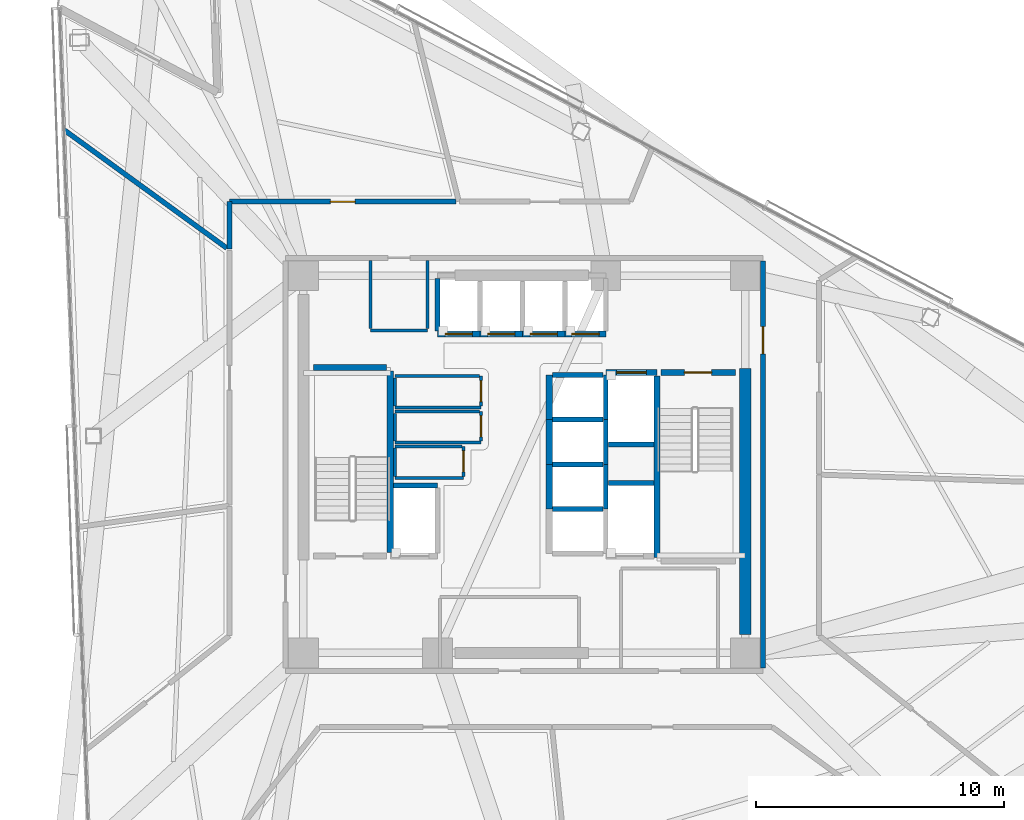
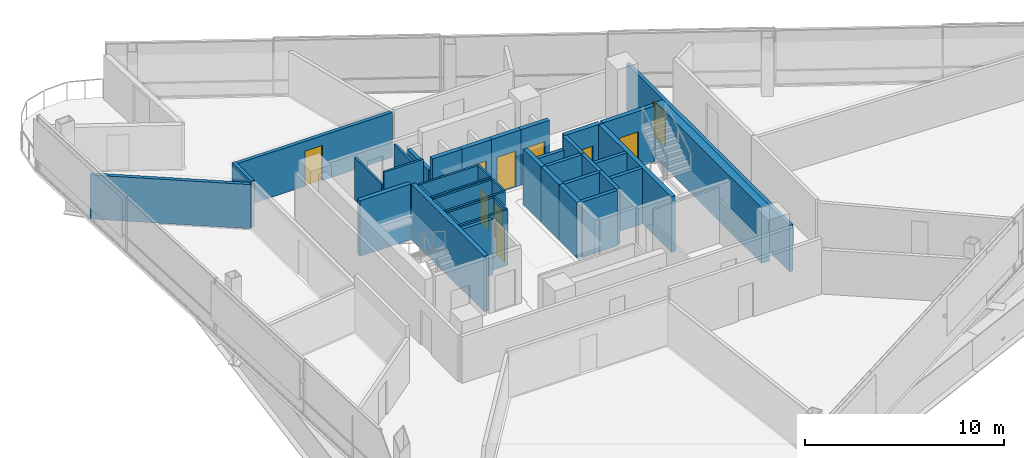
# One storey, part 13 of 20: 43 walls, 11 doors, 11 openings.
"""IFC4 building model written with IfcOpenShell, lengths in metres."""

from ifc_helpers import new_model, si_unit, direction, frame, frame_2d, origin, place, context, subcontext, project, spatial, rectangle, extrude, material, layer, layer_set, type_object, element, fill, save


model = new_model("IFC4")

# Units and contexts
model_context = context("Model", 3, precision=1e-05, world=origin(), true_north=direction((0.0, 1.0)))
body_context = subcontext(model_context, "Body", "Model", "MODEL_VIEW")
ifc_project = project(units=[si_unit("LENGTHUNIT", "METRE"), si_unit("AREAUNIT", "SQUARE_METRE"), si_unit("VOLUMEUNIT", "CUBIC_METRE"), si_unit("PLANEANGLEUNIT", "RADIAN"), si_unit("MASSUNIT", "GRAM", prefix="KILO")], contexts=[model_context])

# Site, building, storey
site_placement = place(None, origin())
site = spatial("IfcSite", under=ifc_project, at=site_placement, CompositionType="ELEMENT")
building_placement = place(site_placement, origin())
building = spatial("IfcBuilding", under=site, at=building_placement, Name="Tharavind Bronze Gate", CompositionType="ELEMENT")
storey_placement = place(building_placement, frame((0.0, 0.0, 138.800048828125)))
storey = spatial("IfcBuildingStorey", under=building, at=storey_placement, Name="L35", CompositionType="ELEMENT", Elevation=138.800048828125)

# Wall, opening, door
ifc_material_1 = material(Name="Aerated Concrete Block", Category="concrete")
ifc_layer_1 = layer(ifc_material_1, 0.199951171875)
ifc_layer_set_1 = layer_set([ifc_layer_1], Name="Aerated Concrete Block")
wall_type_1 = type_object("IfcWallType", Name="FIRE RATED PARTITION 200", PredefinedType="PARTITIONING", material=ifc_layer_set_1)
wall_1_placement = place(storey_placement, frame((9.6201171875, -8.199951171875, 0.0), z_axis=(0.0, 0.0, 1.0), x_axis=(0.0, 1.0, 0.0)))
wall_1 = element("IfcWall", 1, at=wall_1_placement, inside=storey, type_object=wall_type_1, Name="L35 east core corridor wall", PredefinedType="PARTITIONING", context=body_context, shape_type="SweptSolid", body=[
    extrude(rectangle(XDim=16.39990234375, YDim=0.199951171875, at=frame_2d((8.199951171875, 0.0))), origin(), (0.0, 0.0, 1.0), 2.85498046875),
])
opening_1_placement = place(wall_1_placement, frame((12.64990234375, 0.0, 0.0)))
opening_1 = element("IfcOpeningElement", 2, at=opening_1_placement, cuts=wall_1, Name="Opening ID01", PredefinedType="OPENING", context=body_context, shape_type="SweptSolid", body=[
    extrude(rectangle(XDim=1.10009765625, YDim=2.14990234375, at=frame_2d((0.550048828125, 1.074951171875))), frame((0.0, 0.11009765625, 0.0), z_axis=(0.0, -1.0, 0.0), x_axis=(1.0, 0.0, 0.0)), (0.0, 0.0, 1.0), 0.219951171875),
])
ifc_material_2 = material(Name="Fire-Rated Steel", Category="steel")
door_type_1 = type_object("IfcDoorType", Name="STAIR CORE FIRE DOOR 1100X2150", OperationType="SINGLE_SWING_LEFT", PredefinedType="DOOR", material=ifc_material_2)
door_1_placement = place(opening_1_placement, frame((1.10009765625, 0.0, 0.0), z_axis=(0.0, 0.0, 1.0), x_axis=(-1.0, 0.0, 0.0)))
door_1 = element("IfcDoor", 3, at=door_1_placement, inside=storey, type_object=door_type_1, Name="L35 north east stair lobby fire door", OperationType="SINGLE_SWING_LEFT", OverallHeight=2.14990234375, OverallWidth=1.10009765625, PredefinedType="DOOR", context=body_context, shape_type="SweptSolid", body=[
    extrude(rectangle(XDim=1.10009765625, YDim=2.14990234375, at=frame_2d((0.550048828125, 1.074951171875))), frame((0.0, 0.02490234375, 0.0), z_axis=(0.0, -1.0, 0.0), x_axis=(1.0, 0.0, 0.0)), (0.0, 0.0, 1.0), 0.050048828125),
])
fill(opening_1, door_1)

wall_2_placement = place(storey_placement, frame((-2.74609375, 10.580078125, 0.0), z_axis=(0.0, 0.0, 1.0), x_axis=(-1.0, 0.0, 0.0)))
wall_2 = element("IfcWall", 4, at=wall_2_placement, inside=storey, type_object=wall_type_1, Name="L35 Executive Office East partition", PredefinedType="PARTITIONING", context=body_context, shape_type="SweptSolid", body=[
    extrude(rectangle(XDim=9.13330078125, YDim=0.199951171875, at=frame_2d((4.566650390625, 0.0))), origin(), (0.0, 0.0, 1.0), 2.7548828125),
])
opening_2_placement = place(wall_2_placement, frame((4.06689453125, 0.0, 0.0)))
opening_2 = element("IfcOpeningElement", 5, at=opening_2_placement, cuts=wall_2, Name="Opening ID04", PredefinedType="OPENING", context=body_context, shape_type="SweptSolid", body=[
    extrude(rectangle(XDim=1.0, YDim=2.14990234375, at=frame_2d((0.5, 1.074951171875))), frame((0.0, 0.11009765625, 0.0), z_axis=(0.0, -1.0, 0.0), x_axis=(1.0, 0.0, 0.0)), (0.0, 0.0, 1.0), 0.219951171875),
])
ifc_material_3 = material(Name="Bronze Framed Acoustic Timber", Category="wood")
door_type_2 = type_object("IfcDoorType", Name="OFFICE TENANCY DOOR 1000X2150", OperationType="SINGLE_SWING_RIGHT", PredefinedType="DOOR", material=ifc_material_3)
door_2_placement = place(opening_2_placement, origin())
door_2 = element("IfcDoor", 6, at=door_2_placement, inside=storey, type_object=door_type_2, Name="L35 Executive Office East door", OperationType="SINGLE_SWING_RIGHT", OverallHeight=2.14990234375, OverallWidth=1.0, PredefinedType="DOOR", context=body_context, shape_type="SweptSolid", body=[
    extrude(rectangle(XDim=1.0, YDim=2.14990234375, at=frame_2d((0.5, 1.074951171875))), frame((0.0, 0.02490234375, 0.0), z_axis=(0.0, -1.0, 0.0), x_axis=(1.0, 0.0, 0.0)), (0.0, 0.0, 1.0), 0.050048828125),
])
fill(opening_2, door_2)

# Walls
wall_3_placement = place(storey_placement, frame((-11.8798828125, 10.579345703125, 0.0), z_axis=(0.0, 0.0, 1.0), x_axis=(0.0, -1.0, 0.0)))
element("IfcWall", 7, at=wall_3_placement, inside=storey, type_object=wall_type_1, Name="L35 Executive Office East partition", PredefinedType="PARTITIONING", context=body_context, shape_type="SweptSolid", body=[
    extrude(rectangle(XDim=1.89892578125, YDim=0.199951171875, at=frame_2d((0.949462890625, 0.0))), origin(), (0.0, 0.0, 1.0), 2.85498046875),
])
wall_4_placement = place(storey_placement, frame((-11.985107421875, 8.70751953125, 0.0), z_axis=(0.0, 0.0, 1.0), x_axis=(-0.80901356524, 0.587789972063, 0.0)))
element("IfcWall", 8, at=wall_4_placement, inside=storey, type_object=wall_type_1, Name="L35 Executive Office East partition", PredefinedType="PARTITIONING", context=body_context, shape_type="SweptSolid", body=[
    extrude(rectangle(XDim=8.1015625, YDim=0.199951171875, at=frame_2d((4.05078125, 0.0))), origin(), (0.0, 0.0, 1.0), 2.704833984375),
])
ifc_material_4 = material(Name="Metal Stud Gypsum Partition", Category="gypsum")
ifc_layer_2 = layer(ifc_material_4, 0.1201171875)
ifc_layer_set_2 = layer_set([ifc_layer_2], Name="Metal Stud Gypsum Partition")
wall_type_2 = type_object("IfcWallType", Name="INTERIOR PARTITION WALL 120", PredefinedType="PARTITIONING", material=ifc_layer_set_2)
wall_5_placement = place(storey_placement, frame((-5.219970703125, 2.280029296875, 0.0), z_axis=(0.0, 0.0, 1.0), x_axis=(1.0, 0.0, 0.0)))
element("IfcWall", 9, at=wall_5_placement, inside=storey, type_object=wall_type_2, Name="L35 Housekeeping Linen Store partition 1", PredefinedType="PARTITIONING", context=body_context, shape_type="SweptSolid", body=[
    extrude(rectangle(XDim=3.469970703125, YDim=0.1201171875, at=frame_2d((1.73486328125, 0.0))), origin(), (0.0, 0.0, 1.0), 3.409912109375),
])

# Wall, opening, door
wall_6_placement = place(storey_placement, frame((-1.75, 2.344970703125, 0.0), z_axis=(0.0, 0.0, 1.0), x_axis=(0.0, 1.0, 0.0)))
wall_6 = element("IfcWall", 10, at=wall_6_placement, inside=storey, type_object=wall_type_2, Name="L35 Housekeeping Linen Store partition 2", PredefinedType="PARTITIONING", context=body_context, shape_type="SweptSolid", body=[
    extrude(rectangle(XDim=1.205078125, YDim=0.1201171875, at=frame_2d((0.6025390625, 0.0))), origin(), (0.0, 0.0, 1.0), 3.409912109375),
])
opening_3_placement = place(wall_6_placement, frame((0.177001953125, 0.0, 0.0)))
opening_3 = element("IfcOpeningElement", 11, at=opening_3_placement, cuts=wall_6, Name="Opening ID06", PredefinedType="OPENING", context=body_context, shape_type="SweptSolid", body=[
    extrude(rectangle(XDim=0.85009765625, YDim=2.10009765625, at=frame_2d((0.425048828125, 1.050048828125))), frame((0.0, 0.07005859375, 0.0), z_axis=(0.0, -1.0, 0.0), x_axis=(1.0, 0.0, 0.0)), (0.0, 0.0, 1.0), 0.1401171875),
])
ifc_material_5 = material(Name="Moisture-Resistant Timber", Category="wood")
door_type_3 = type_object("IfcDoorType", Name="BATHROOM PRIVACY DOOR 850X2100", OperationType="SINGLE_SWING_RIGHT", PredefinedType="DOOR", material=ifc_material_5)
door_3_placement = place(opening_3_placement, frame((0.85009765625, 0.0, 0.0), z_axis=(0.0, 0.0, 1.0), x_axis=(-1.0, 0.0, 0.0)))
door_3 = element("IfcDoor", 12, at=door_3_placement, inside=storey, type_object=door_type_3, Name="L35 Housekeeping Linen Store door", OperationType="SINGLE_SWING_RIGHT", OverallHeight=2.10009765625, OverallWidth=0.85009765625, PredefinedType="DOOR", context=body_context, shape_type="SweptSolid", body=[
    extrude(rectangle(XDim=0.85009765625, YDim=2.10009765625, at=frame_2d((0.425048828125, 1.050048828125))), frame((0.0, 0.02490234375, 0.0), z_axis=(0.0, -1.0, 0.0), x_axis=(1.0, 0.0, 0.0)), (0.0, 0.0, 1.0), 0.050048828125),
])
fill(opening_3, door_3)

# Walls
wall_7_placement = place(storey_placement, frame((-1.81494140625, 3.550048828125, 0.0), z_axis=(0.0, 0.0, 1.0), x_axis=(-1.0, 0.0, 0.0)))
element("IfcWall", 13, at=wall_7_placement, inside=storey, type_object=wall_type_2, Name="L35 Housekeeping Linen Store partition 3", PredefinedType="PARTITIONING", context=body_context, shape_type="SweptSolid", body=[
    extrude(rectangle(XDim=3.405029296875, YDim=0.1201171875, at=frame_2d((1.70263671875, 0.0))), origin(), (0.0, 0.0, 1.0), 3.409912109375),
])
wall_8_placement = place(storey_placement, frame((-5.219970703125, 3.485107421875, 0.0), z_axis=(0.0, 0.0, 1.0), x_axis=(0.0, -1.0, 0.0)))
element("IfcWall", 14, at=wall_8_placement, inside=storey, type_object=wall_type_2, Name="L35 Housekeeping Linen Store partition 4", PredefinedType="PARTITIONING", context=body_context, shape_type="SweptSolid", body=[
    extrude(rectangle(XDim=1.14013671875, YDim=0.1201171875, at=frame_2d((0.570068359375, 0.0))), origin(), (0.0, 0.0, 1.0), 3.409912109375),
])
wall_9_placement = place(storey_placement, frame((-5.219970703125, 0.8798828125, 0.0), z_axis=(0.0, 0.0, 1.0), x_axis=(1.0, 0.0, 0.0)))
element("IfcWall", 15, at=wall_9_placement, inside=storey, type_object=wall_type_2, Name="L35 Comms Data Room partition 1", PredefinedType="PARTITIONING", context=body_context, shape_type="SweptSolid", body=[
    extrude(rectangle(XDim=3.469970703125, YDim=0.1201171875, at=frame_2d((1.73486328125, 0.0))), origin(), (0.0, 0.0, 1.0), 3.409912109375),
])

# Wall, opening, door
wall_10_placement = place(storey_placement, frame((-1.75, 0.945068359375, 0.0), z_axis=(0.0, 0.0, 1.0), x_axis=(0.0, 1.0, 0.0)))
wall_10 = element("IfcWall", 16, at=wall_10_placement, inside=storey, type_object=wall_type_2, Name="L35 Comms Data Room partition 2", PredefinedType="PARTITIONING", context=body_context, shape_type="SweptSolid", body=[
    extrude(rectangle(XDim=1.175048828125, YDim=0.1201171875, at=frame_2d((0.58740234375, 0.0))), origin(), (0.0, 0.0, 1.0), 3.409912109375),
])
opening_4_placement = place(wall_10_placement, frame((0.1630859375, 0.0, 0.0)))
opening_4 = element("IfcOpeningElement", 17, at=opening_4_placement, cuts=wall_10, Name="Opening ID06", PredefinedType="OPENING", context=body_context, shape_type="SweptSolid", body=[
    extrude(rectangle(XDim=0.85009765625, YDim=2.10009765625, at=frame_2d((0.425048828125, 1.050048828125))), frame((0.0, 0.07005859375, 0.0), z_axis=(0.0, -1.0, 0.0), x_axis=(1.0, 0.0, 0.0)), (0.0, 0.0, 1.0), 0.1401171875),
])
door_4_placement = place(opening_4_placement, frame((0.85009765625, 0.0, 0.0), z_axis=(0.0, 0.0, 1.0), x_axis=(-1.0, 0.0, 0.0)))
door_4 = element("IfcDoor", 18, at=door_4_placement, inside=storey, type_object=door_type_3, Name="L35 Comms Data Room door", OperationType="SINGLE_SWING_RIGHT", OverallHeight=2.10009765625, OverallWidth=0.85009765625, PredefinedType="DOOR", context=body_context, shape_type="SweptSolid", body=[
    extrude(rectangle(XDim=0.85009765625, YDim=2.10009765625, at=frame_2d((0.425048828125, 1.050048828125))), frame((0.0, 0.02490234375, 0.0), z_axis=(0.0, -1.0, 0.0), x_axis=(1.0, 0.0, 0.0)), (0.0, 0.0, 1.0), 0.050048828125),
])
fill(opening_4, door_4)

# Walls
wall_11_placement = place(storey_placement, frame((-1.81494140625, 2.1201171875, 0.0), z_axis=(0.0, 0.0, 1.0), x_axis=(-1.0, 0.0, 0.0)))
element("IfcWall", 19, at=wall_11_placement, inside=storey, type_object=wall_type_2, Name="L35 Comms Data Room partition 3", PredefinedType="PARTITIONING", context=body_context, shape_type="SweptSolid", body=[
    extrude(rectangle(XDim=3.405029296875, YDim=0.1201171875, at=frame_2d((1.70263671875, 0.0))), origin(), (0.0, 0.0, 1.0), 3.409912109375),
])
wall_12_placement = place(storey_placement, frame((-5.219970703125, 2.054931640625, 0.0), z_axis=(0.0, 0.0, 1.0), x_axis=(0.0, -1.0, 0.0)))
element("IfcWall", 20, at=wall_12_placement, inside=storey, type_object=wall_type_2, Name="L35 Comms Data Room partition 4", PredefinedType="PARTITIONING", context=body_context, shape_type="SweptSolid", body=[
    extrude(rectangle(XDim=1.10986328125, YDim=0.1201171875, at=frame_2d((0.554931640625, 0.0))), origin(), (0.0, 0.0, 1.0), 3.409912109375),
])
wall_13_placement = place(storey_placement, frame((-5.219970703125, -0.550048828125, 0.0), z_axis=(0.0, 0.0, 1.0), x_axis=(1.0, 0.0, 0.0)))
element("IfcWall", 21, at=wall_13_placement, inside=storey, type_object=wall_type_2, Name="L35 Electrical Metering Store partition 1", PredefinedType="PARTITIONING", context=body_context, shape_type="SweptSolid", body=[
    extrude(rectangle(XDim=2.77001953125, YDim=0.1201171875, at=frame_2d((1.385009765625, 0.0))), origin(), (0.0, 0.0, 1.0), 3.409912109375),
])

# Wall, opening, door
wall_14_placement = place(storey_placement, frame((-2.449951171875, -0.485107421875, 0.0), z_axis=(0.0, 0.0, 1.0), x_axis=(0.0, 1.0, 0.0)))
wall_14 = element("IfcWall", 22, at=wall_14_placement, inside=storey, type_object=wall_type_2, Name="L35 Electrical Metering Store partition 2", PredefinedType="PARTITIONING", context=body_context, shape_type="SweptSolid", body=[
    extrude(rectangle(XDim=1.205078125, YDim=0.1201171875, at=frame_2d((0.6025390625, 0.0))), origin(), (0.0, 0.0, 1.0), 3.409912109375),
])
opening_5_placement = place(wall_14_placement, frame((0.177978515625, 0.0, 0.0)))
opening_5 = element("IfcOpeningElement", 23, at=opening_5_placement, cuts=wall_14, Name="Opening ID06", PredefinedType="OPENING", context=body_context, shape_type="SweptSolid", body=[
    extrude(rectangle(XDim=0.85009765625, YDim=2.10009765625, at=frame_2d((0.425048828125, 1.050048828125))), frame((0.0, 0.07005859375, 0.0), z_axis=(0.0, -1.0, 0.0), x_axis=(1.0, 0.0, 0.0)), (0.0, 0.0, 1.0), 0.1401171875),
])
door_5_placement = place(opening_5_placement, frame((0.85009765625, 0.0, 0.0), z_axis=(0.0, 0.0, 1.0), x_axis=(-1.0, 0.0, 0.0)))
door_5 = element("IfcDoor", 24, at=door_5_placement, inside=storey, type_object=door_type_3, Name="L35 Electrical Metering Store door", OperationType="SINGLE_SWING_RIGHT", OverallHeight=2.10009765625, OverallWidth=0.85009765625, PredefinedType="DOOR", context=body_context, shape_type="SweptSolid", body=[
    extrude(rectangle(XDim=0.85009765625, YDim=2.10009765625, at=frame_2d((0.425048828125, 1.050048828125))), frame((0.0, 0.02490234375, 0.0), z_axis=(0.0, -1.0, 0.0), x_axis=(1.0, 0.0, 0.0)), (0.0, 0.0, 1.0), 0.050048828125),
])
fill(opening_5, door_5)

# Walls
wall_15_placement = place(storey_placement, frame((-2.514892578125, 0.719970703125, 0.0), z_axis=(0.0, 0.0, 1.0), x_axis=(-1.0, 0.0, 0.0)))
element("IfcWall", 25, at=wall_15_placement, inside=storey, type_object=wall_type_2, Name="L35 Electrical Metering Store partition 3", PredefinedType="PARTITIONING", context=body_context, shape_type="SweptSolid", body=[
    extrude(rectangle(XDim=2.705078125, YDim=0.1201171875, at=frame_2d((1.3525390625, 0.0))), origin(), (0.0, 0.0, 1.0), 3.409912109375),
])
wall_16_placement = place(storey_placement, frame((-5.219970703125, 0.655029296875, 0.0), z_axis=(0.0, 0.0, 1.0), x_axis=(0.0, -1.0, 0.0)))
element("IfcWall", 26, at=wall_16_placement, inside=storey, type_object=wall_type_2, Name="L35 Electrical Metering Store partition 4", PredefinedType="PARTITIONING", context=body_context, shape_type="SweptSolid", body=[
    extrude(rectangle(XDim=1.14013671875, YDim=0.1201171875, at=frame_2d((0.570068359375, 0.0))), origin(), (0.0, 0.0, 1.0), 3.409912109375),
])
wall_17_placement = place(storey_placement, frame((-6.199951171875, 5.39990234375, 0.0), z_axis=(0.0, 0.0, 1.0), x_axis=(1.0, 0.0, 0.0)))
element("IfcWall", 27, at=wall_17_placement, inside=storey, type_object=wall_type_2, Name="L35 Electrical Switch Cupboard partition 1", PredefinedType="PARTITIONING", context=body_context, shape_type="SweptSolid", body=[
    extrude(rectangle(XDim=2.300048828125, YDim=0.1201171875, at=frame_2d((1.14990234375, 0.0))), origin(), (0.0, 0.0, 1.0), 3.409912109375),
])
for number, where, z_axis, x_axis, name in (
    (28, (-3.89990234375, 5.465087890625, 0.0), (0.0, 0.0, 1.0), (0.0, 1.0, 0.0), "L35 Electrical Switch Cupboard partition 2"),
    (29, (-6.199951171875, 8.215087890625, 0.0), (0.0, 0.0, 1.0), (0.0, -1.0, 0.0), "L35 Electrical Switch Cupboard partition 4"),
):
    element("IfcWall", number, at=place(storey_placement, frame(where, z_axis=z_axis, x_axis=x_axis)), inside=storey, type_object=wall_type_2, Name=name, PredefinedType="PARTITIONING", context=body_context, shape_type="SweptSolid", body=[
        extrude(rectangle(XDim=2.75, YDim=0.1201171875, at=frame_2d((1.375, 0.0))), origin(), (0.0, 0.0, 1.0), 2.60498046875),
    ])
ifc_material_6 = material(Name="Concrete C50/60", Category="concrete")
ifc_layer_3 = layer(ifc_material_6, 0.25)
ifc_layer_set_3 = layer_set([ifc_layer_3], Name="Concrete C50/60")
wall_type_3 = type_object("IfcWallType", Name="RC CORE SHEAR WALL 250", PredefinedType="SHEAR", material=ifc_layer_set_3)
wall_18_placement = place(storey_placement, frame((-5.39990234375, -3.550048828125, 0.0), z_axis=(0.0, 0.0, 1.0), x_axis=(0.0, 1.0, 0.0)))
element("IfcWall", 30, at=wall_18_placement, inside=storey, type_object=wall_type_3, Name="L35 ST1 shaft east wall", PredefinedType="SHEAR", context=body_context, shape_type="SweptSolid", body=[
    extrude(rectangle(XDim=7.300048828125, YDim=0.25, at=frame_2d((3.64990234375, 0.0))), origin(), (0.0, 0.0, 1.0), 3.409912109375),
])
wall_19_placement = place(storey_placement, frame((-8.5, 3.89990234375, 0.0), z_axis=(0.0, 0.0, 1.0), x_axis=(1.0, 0.0, 0.0)))
element("IfcWall", 31, at=wall_19_placement, inside=storey, type_object=wall_type_3, Name="L35 ST1 shaft north wall", PredefinedType="SHEAR", context=body_context, shape_type="SweptSolid", body=[
    extrude(rectangle(XDim=2.949951171875, YDim=0.25, at=frame_2d((1.47509765625, 0.0))), origin(), (0.0, 0.0, 1.0), 3.409912109375),
])
wall_20_placement = place(storey_placement, frame((5.35009765625, -3.75, 0.0), z_axis=(0.0, 0.0, 1.0), x_axis=(0.0, 1.0, 0.0)))
element("IfcWall", 32, at=wall_20_placement, inside=storey, type_object=wall_type_3, Name="L35 ST2 shaft west wall", PredefinedType="SHEAR", context=body_context, shape_type="SweptSolid", body=[
    extrude(rectangle(XDim=7.300048828125, YDim=0.25, at=frame_2d((3.64990234375, 0.0))), origin(), (0.0, 0.0, 1.0), 3.409912109375),
])

# Wall, opening, door
wall_21_placement = place(storey_placement, frame((5.5, 3.699951171875, 0.0), z_axis=(0.0, 0.0, 1.0), x_axis=(1.0, 0.0, 0.0)))
wall_21 = element("IfcWall", 33, at=wall_21_placement, inside=storey, type_object=wall_type_3, Name="L35 ST2 shaft north wall", PredefinedType="SHEAR", context=body_context, shape_type="SweptSolid", body=[
    extrude(rectangle(XDim=3.0, YDim=0.25, at=frame_2d((1.5, 0.0))), origin(), (0.0, 0.0, 1.0), 3.409912109375),
])
opening_6_placement = place(wall_21_placement, frame((0.949951171875, 0.0, 0.0)))
opening_6 = element("IfcOpeningElement", 34, at=opening_6_placement, cuts=wall_21, Name="Opening ID01", PredefinedType="OPENING", context=body_context, shape_type="SweptSolid", body=[
    extrude(rectangle(XDim=1.10009765625, YDim=2.14990234375, at=frame_2d((0.550048828125, 1.074951171875))), frame((0.0, 0.135, 0.0), z_axis=(0.0, -1.0, 0.0), x_axis=(1.0, 0.0, 0.0)), (0.0, 0.0, 1.0), 0.27),
])
door_6_placement = place(opening_6_placement, frame((1.10009765625, 0.0, 0.0), z_axis=(0.0, 0.0, 1.0), x_axis=(-1.0, 0.0, 0.0)))
door_6 = element("IfcDoor", 35, at=door_6_placement, inside=storey, type_object=door_type_1, Name="L35 exit stair ST2 fire door", OperationType="SINGLE_SWING_LEFT", OverallHeight=2.14990234375, OverallWidth=1.10009765625, PredefinedType="DOOR", context=body_context, shape_type="SweptSolid", body=[
    extrude(rectangle(XDim=1.10009765625, YDim=2.14990234375, at=frame_2d((0.550048828125, 1.074951171875))), frame((0.0, 0.02490234375, 0.0), z_axis=(0.0, -1.0, 0.0), x_axis=(1.0, 0.0, 0.0)), (0.0, 0.0, 1.0), 0.050048828125),
])
fill(opening_6, door_6)

wall_22_placement = place(storey_placement, frame((-3.5, 5.25, 0.0), z_axis=(0.0, 0.0, 1.0), x_axis=(1.0, 0.0, 0.0)))
wall_22 = element("IfcWall", 36, at=wall_22_placement, inside=storey, type_object=wall_type_3, Name="L35 lift PL5 shaft front wall", PredefinedType="SHEAR", context=body_context, shape_type="SweptSolid", body=[
    extrude(rectangle(XDim=1.71240234375, YDim=0.25, at=frame_2d((0.856201171875, 0.0))), origin(), (0.0, 0.0, 1.0), 3.409912109375),
])
opening_7_placement = place(wall_22_placement, frame((0.305908203125, 0.0, 0.0)))
opening_7 = element("IfcOpeningElement", 37, at=opening_7_placement, cuts=wall_22, Name="Opening LD01", PredefinedType="OPENING", context=body_context, shape_type="SweptSolid", body=[
    extrude(rectangle(XDim=1.10009765625, YDim=2.199951171875, at=frame_2d((0.550048828125, 1.10009765625))), frame((0.0, 0.135, 0.0), z_axis=(0.0, -1.0, 0.0), x_axis=(1.0, 0.0, 0.0)), (0.0, 0.0, 1.0), 0.27),
])
ifc_material_7 = material(Name="Brushed Bronze Stainless Steel", Category="steel")
door_type_4 = type_object("IfcDoorType", Name="LIFT LANDING SLIDING DOOR 1100X2200", OperationType="SLIDING_TO_LEFT", PredefinedType="DOOR", material=ifc_material_7)
door_7_placement = place(opening_7_placement, origin())
door_7 = element("IfcDoor", 38, at=door_7_placement, inside=storey, type_object=door_type_4, Name="L35 lift PL5 sliding landing door", OperationType="SLIDING_TO_LEFT", OverallHeight=2.199951171875, OverallWidth=1.10009765625, PredefinedType="DOOR", context=body_context, shape_type="SweptSolid", body=[
    extrude(rectangle(XDim=1.10009765625, YDim=2.199951171875, at=frame_2d((0.550048828125, 1.10009765625))), frame((0.0, 0.02490234375, 0.0), z_axis=(0.0, -1.0, 0.0), x_axis=(1.0, 0.0, 0.0)), (0.0, 0.0, 1.0), 0.050048828125),
])
fill(opening_7, door_7)

wall_23_placement = place(storey_placement, frame((-1.78759765625, 5.25, 0.0), z_axis=(0.0, 0.0, 1.0), x_axis=(1.0, 0.0, 0.0)))
wall_23 = element("IfcWall", 39, at=wall_23_placement, inside=storey, type_object=wall_type_3, Name="L35 lift PL6 shaft front wall", PredefinedType="SHEAR", context=body_context, shape_type="SweptSolid", body=[
    extrude(rectangle(XDim=1.712646484375, YDim=0.25, at=frame_2d((0.8564453125, 0.0))), origin(), (0.0, 0.0, 1.0), 3.409912109375),
])
opening_8_placement = place(wall_23_placement, frame((0.305908203125, 0.0, 0.0)))
opening_8 = element("IfcOpeningElement", 40, at=opening_8_placement, cuts=wall_23, Name="Opening LD01", PredefinedType="OPENING", context=body_context, shape_type="SweptSolid", body=[
    extrude(rectangle(XDim=1.10009765625, YDim=2.199951171875, at=frame_2d((0.550048828125, 1.10009765625))), frame((0.0, 0.135, 0.0), z_axis=(0.0, -1.0, 0.0), x_axis=(1.0, 0.0, 0.0)), (0.0, 0.0, 1.0), 0.27),
])
door_8_placement = place(opening_8_placement, origin())
door_8 = element("IfcDoor", 41, at=door_8_placement, inside=storey, type_object=door_type_4, Name="L35 lift PL6 sliding landing door", OperationType="SLIDING_TO_LEFT", OverallHeight=2.199951171875, OverallWidth=1.10009765625, PredefinedType="DOOR", context=body_context, shape_type="SweptSolid", body=[
    extrude(rectangle(XDim=1.10009765625, YDim=2.199951171875, at=frame_2d((0.550048828125, 1.10009765625))), frame((0.0, 0.02490234375, 0.0), z_axis=(0.0, -1.0, 0.0), x_axis=(1.0, 0.0, 0.0)), (0.0, 0.0, 1.0), 0.050048828125),
])
fill(opening_8, door_8)

wall_24_placement = place(storey_placement, frame((-0.074951171875, 5.25, 0.0), z_axis=(0.0, 0.0, 1.0), x_axis=(1.0, 0.0, 0.0)))
wall_24 = element("IfcWall", 42, at=wall_24_placement, inside=storey, type_object=wall_type_3, Name="L35 lift PL7 shaft front wall", PredefinedType="SHEAR", context=body_context, shape_type="SweptSolid", body=[
    extrude(rectangle(XDim=1.71240234375, YDim=0.25, at=frame_2d((0.856201171875, 0.0))), origin(), (0.0, 0.0, 1.0), 3.409912109375),
])
opening_9_placement = place(wall_24_placement, frame((0.305908203125, 0.0, 0.0)))
opening_9 = element("IfcOpeningElement", 43, at=opening_9_placement, cuts=wall_24, Name="Opening LD01", PredefinedType="OPENING", context=body_context, shape_type="SweptSolid", body=[
    extrude(rectangle(XDim=1.10009765625, YDim=2.199951171875, at=frame_2d((0.550048828125, 1.10009765625))), frame((0.0, 0.135, 0.0), z_axis=(0.0, -1.0, 0.0), x_axis=(1.0, 0.0, 0.0)), (0.0, 0.0, 1.0), 0.27),
])
door_9_placement = place(opening_9_placement, origin())
door_9 = element("IfcDoor", 44, at=door_9_placement, inside=storey, type_object=door_type_4, Name="L35 lift PL7 sliding landing door", OperationType="SLIDING_TO_LEFT", OverallHeight=2.199951171875, OverallWidth=1.10009765625, PredefinedType="DOOR", context=body_context, shape_type="SweptSolid", body=[
    extrude(rectangle(XDim=1.10009765625, YDim=2.199951171875, at=frame_2d((0.550048828125, 1.10009765625))), frame((0.0, 0.02490234375, 0.0), z_axis=(0.0, -1.0, 0.0), x_axis=(1.0, 0.0, 0.0)), (0.0, 0.0, 1.0), 0.050048828125),
])
fill(opening_9, door_9)

wall_25_placement = place(storey_placement, frame((1.637451171875, 5.25, 0.0), z_axis=(0.0, 0.0, 1.0), x_axis=(1.0, 0.0, 0.0)))
wall_25 = element("IfcWall", 45, at=wall_25_placement, inside=storey, type_object=wall_type_3, Name="L35 lift PL8 shaft front wall", PredefinedType="SHEAR", context=body_context, shape_type="SweptSolid", body=[
    extrude(rectangle(XDim=1.642578125, YDim=0.25, at=frame_2d((0.8212890625, 0.0))), origin(), (0.0, 0.0, 1.0), 3.409912109375),
])
opening_10_placement = place(wall_25_placement, frame((0.27099609375, 0.0, 0.0)))
opening_10 = element("IfcOpeningElement", 46, at=opening_10_placement, cuts=wall_25, Name="Opening LD01", PredefinedType="OPENING", context=body_context, shape_type="SweptSolid", body=[
    extrude(rectangle(XDim=1.10009765625, YDim=2.199951171875, at=frame_2d((0.550048828125, 1.10009765625))), frame((0.0, 0.135, 0.0), z_axis=(0.0, -1.0, 0.0), x_axis=(1.0, 0.0, 0.0)), (0.0, 0.0, 1.0), 0.27),
])
door_10_placement = place(opening_10_placement, origin())
door_10 = element("IfcDoor", 47, at=door_10_placement, inside=storey, type_object=door_type_4, Name="L35 lift PL8 sliding landing door", OperationType="SLIDING_TO_LEFT", OverallHeight=2.199951171875, OverallWidth=1.10009765625, PredefinedType="DOOR", context=body_context, shape_type="SweptSolid", body=[
    extrude(rectangle(XDim=1.10009765625, YDim=2.199951171875, at=frame_2d((0.550048828125, 1.10009765625))), frame((0.0, 0.02490234375, 0.0), z_axis=(0.0, -1.0, 0.0), x_axis=(1.0, 0.0, 0.0)), (0.0, 0.0, 1.0), 0.050048828125),
])
fill(opening_10, door_10)

# Walls
for number, where, z_axis, x_axis, name in (
    (48, (1.0, -1.800048828125, 0.0), (0.0, 0.0, 1.0), (0.0, 1.0, 0.0), "L35 lift PL10 shaft front wall"),
    (49, (1.0, 0.0, 0.0), (0.0, 0.0, 1.0), (0.0, 1.0, 0.0), "L35 lift PL11 shaft front wall"),
    (50, (1.0, 1.800048828125, 0.0), (0.0, 0.0, 1.0), (0.0, 1.0, 0.0), "L35 lift PL12 shaft front wall"),
):
    element("IfcWall", number, at=place(storey_placement, frame(where, z_axis=z_axis, x_axis=x_axis)), inside=storey, type_object=wall_type_3, Name=name, PredefinedType="SHEAR", context=body_context, shape_type="SweptSolid", body=[
        extrude(rectangle(XDim=1.800048828125, YDim=0.25, at=frame_2d((0.89990234375, 0.0))), origin(), (0.0, 0.0, 1.0), 3.409912109375),
    ])

# Wall, opening, door
wall_26_placement = place(storey_placement, frame((3.280029296875, 3.699951171875, 0.0), z_axis=(0.0, 0.0, 1.0), x_axis=(1.0, 0.0, 0.0)))
wall_26 = element("IfcWall", 51, at=wall_26_placement, inside=storey, type_object=wall_type_3, Name="L35 lift FFL2 shaft front wall", PredefinedType="SHEAR", context=body_context, shape_type="SweptSolid", body=[
    extrude(rectangle(XDim=2.070068359375, YDim=0.25, at=frame_2d((1.03515625, 0.0))), origin(), (0.0, 0.0, 1.0), 3.409912109375),
])
opening_11_placement = place(wall_26_placement, frame((0.43505859375, 0.0, 0.0)))
opening_11 = element("IfcOpeningElement", 52, at=opening_11_placement, cuts=wall_26, Name="Opening LD02", PredefinedType="OPENING", context=body_context, shape_type="SweptSolid", body=[
    extrude(rectangle(XDim=1.199951171875, YDim=2.199951171875, at=frame_2d((0.60009765625, 1.10009765625))), frame((0.0, 0.135, 0.0), z_axis=(0.0, -1.0, 0.0), x_axis=(1.0, 0.0, 0.0)), (0.0, 0.0, 1.0), 0.27),
])
ifc_material_8 = material(Name="Brushed Stainless Steel", Category="steel")
door_type_5 = type_object("IfcDoorType", Name="FIREFIGHTING LIFT LANDING DOOR 1200X2200", OperationType="SLIDING_TO_RIGHT", PredefinedType="DOOR", material=ifc_material_8)
door_11_placement = place(opening_11_placement, origin())
door_11 = element("IfcDoor", 53, at=door_11_placement, inside=storey, type_object=door_type_5, Name="L35 lift FFL2 sliding landing door", OperationType="SLIDING_TO_RIGHT", OverallHeight=2.199951171875, OverallWidth=1.199951171875, PredefinedType="DOOR", context=body_context, shape_type="SweptSolid", body=[
    extrude(rectangle(XDim=1.199951171875, YDim=2.199951171875, at=frame_2d((0.60009765625, 1.10009765625))), frame((0.0, 0.02490234375, 0.0), z_axis=(0.0, -1.0, 0.0), x_axis=(1.0, 0.0, 0.0)), (0.0, 0.0, 1.0), 0.050048828125),
])
fill(opening_11, door_11)

# Walls
ifc_material_9 = material(Name="Concrete C60/75", Category="concrete")
ifc_layer_4 = layer(ifc_material_9, 0.449951171875)
ifc_layer_set_4 = layer_set([ifc_layer_4], Name="Concrete C60/75")
wall_type_4 = type_object("IfcWallType", Name="RC CORE SHEAR WALL 450", PredefinedType="SHEAR", material=ifc_layer_set_4)
wall_27_placement = place(storey_placement, frame((8.89990234375, -6.85009765625, 0.0), z_axis=(0.0, 0.0, 1.0), x_axis=(0.0, 1.0, 0.0)))
element("IfcWall", 54, at=wall_27_placement, inside=storey, type_object=wall_type_4, Name="L35 east core shear wall", PredefinedType="SHEAR", context=body_context, shape_type="SweptSolid", body=[
    extrude(rectangle(XDim=10.7001953125, YDim=0.449951171875, at=frame_2d((5.35009765625, 0.0))), origin(), (0.0, 0.0, 1.0), 3.409912109375),
])
ifc_material_10 = material(Name="Concrete C40/50", Category="concrete")
ifc_layer_5 = layer(ifc_material_10, 0.199951171875)
ifc_layer_set_5 = layer_set([ifc_layer_5], Name="Concrete C40/50")
wall_type_5 = type_object("IfcWallType", Name="SHAFT ENCLOSURE WALL 200", PredefinedType="PARTITIONING", material=ifc_layer_set_5)
wall_28_placement = place(storey_placement, frame((-3.5, 5.3798828125, 0.0), z_axis=(0.0, 0.0, 1.0), x_axis=(0.0, 1.0, 0.0)))
element("IfcWall", 55, at=wall_28_placement, inside=storey, type_object=wall_type_5, Name="L35 lift PL5 shaft W enclosure wall", PredefinedType="PARTITIONING", context=body_context, shape_type="SweptSolid", body=[
    extrude(rectangle(XDim=2.115234375, YDim=0.199951171875, at=frame_2d((1.0576171875, 0.0))), origin(), (0.0, 0.0, 1.0), 2.60498046875),
])
wall_29_placement = place(storey_placement, frame((1.1298828125, -1.800048828125, 0.0), z_axis=(0.0, 0.0, 1.0), x_axis=(1.0, 0.0, 0.0)))
element("IfcWall", 56, at=wall_29_placement, inside=storey, type_object=wall_type_5, Name="L35 lift PL9 shaft N enclosure wall", PredefinedType="PARTITIONING", context=body_context, shape_type="SweptSolid", body=[
    extrude(rectangle(XDim=2.045166015625, YDim=0.199951171875, at=frame_2d((1.0224609375, 0.0))), origin(), (0.0, 0.0, 1.0), 3.409912109375),
])
wall_30_placement = place(storey_placement, frame((3.280029296875, -1.800048828125, 0.0), z_axis=(0.0, 0.0, 1.0), x_axis=(0.0, 1.0, 0.0)))
element("IfcWall", 57, at=wall_30_placement, inside=storey, type_object=wall_type_5, Name="L35 lift PL10 shaft E enclosure wall", PredefinedType="PARTITIONING", context=body_context, shape_type="SweptSolid", body=[
    extrude(rectangle(XDim=1.800048828125, YDim=0.199951171875, at=frame_2d((0.89990234375, 0.0))), origin(), (0.0, 0.0, 1.0), 3.409912109375),
])
wall_31_placement = place(storey_placement, frame((1.1298828125, 0.0, 0.0), z_axis=(0.0, 0.0, 1.0), x_axis=(1.0, 0.0, 0.0)))
element("IfcWall", 58, at=wall_31_placement, inside=storey, type_object=wall_type_5, Name="L35 lift PL10 shaft N enclosure wall", PredefinedType="PARTITIONING", context=body_context, shape_type="SweptSolid", body=[
    extrude(rectangle(XDim=2.045166015625, YDim=0.199951171875, at=frame_2d((1.0224609375, 0.0))), origin(), (0.0, 0.0, 1.0), 3.409912109375),
])
wall_32_placement = place(storey_placement, frame((3.280029296875, 0.0, 0.0), z_axis=(0.0, 0.0, 1.0), x_axis=(0.0, 1.0, 0.0)))
element("IfcWall", 59, at=wall_32_placement, inside=storey, type_object=wall_type_5, Name="L35 lift PL11 shaft E enclosure wall", PredefinedType="PARTITIONING", context=body_context, shape_type="SweptSolid", body=[
    extrude(rectangle(XDim=1.800048828125, YDim=0.199951171875, at=frame_2d((0.89990234375, 0.0))), origin(), (0.0, 0.0, 1.0), 3.409912109375),
])
wall_33_placement = place(storey_placement, frame((1.1298828125, 1.800048828125, 0.0), z_axis=(0.0, 0.0, 1.0), x_axis=(1.0, 0.0, 0.0)))
element("IfcWall", 60, at=wall_33_placement, inside=storey, type_object=wall_type_5, Name="L35 lift PL11 shaft N enclosure wall", PredefinedType="PARTITIONING", context=body_context, shape_type="SweptSolid", body=[
    extrude(rectangle(XDim=2.045166015625, YDim=0.199951171875, at=frame_2d((1.0224609375, 0.0))), origin(), (0.0, 0.0, 1.0), 3.409912109375),
])
wall_34_placement = place(storey_placement, frame((3.280029296875, 1.800048828125, 0.0), z_axis=(0.0, 0.0, 1.0), x_axis=(0.0, 1.0, 0.0)))
element("IfcWall", 61, at=wall_34_placement, inside=storey, type_object=wall_type_5, Name="L35 lift PL12 shaft E enclosure wall", PredefinedType="PARTITIONING", context=body_context, shape_type="SweptSolid", body=[
    extrude(rectangle(XDim=1.800048828125, YDim=0.199951171875, at=frame_2d((0.89990234375, 0.0))), origin(), (0.0, 0.0, 1.0), 3.409912109375),
])
wall_35_placement = place(storey_placement, frame((1.1298828125, 3.60009765625, 0.0), z_axis=(0.0, 0.0, 1.0), x_axis=(1.0, 0.0, 0.0)))
element("IfcWall", 62, at=wall_35_placement, inside=storey, type_object=wall_type_5, Name="L35 lift PL12 shaft N enclosure wall", PredefinedType="PARTITIONING", context=body_context, shape_type="SweptSolid", body=[
    extrude(rectangle(XDim=2.045166015625, YDim=0.199951171875, at=frame_2d((1.0224609375, 0.0))), origin(), (0.0, 0.0, 1.0), 2.60498046875),
])
wall_36_placement = place(storey_placement, frame((-5.27001953125, -0.85009765625, 0.0), z_axis=(0.0, 0.0, 1.0), x_axis=(1.0, 0.0, 0.0)))
element("IfcWall", 63, at=wall_36_placement, inside=storey, type_object=wall_type_5, Name="L35 lift FFL1 shaft N enclosure wall", PredefinedType="PARTITIONING", context=body_context, shape_type="SweptSolid", body=[
    extrude(rectangle(XDim=1.77001953125, YDim=0.199951171875, at=frame_2d((0.885009765625, 0.0))), origin(), (0.0, 0.0, 1.0), 3.409912109375),
])
for number, where, z_axis, x_axis, name in (
    (64, (3.385009765625, 0.800048828125, 0.0), (0.0, 0.0, 1.0), (1.0, 0.0, 0.0), "L35 lift FFL2 shaft S enclosure wall"),
    (65, (3.385009765625, -0.75, 0.0), (0.0, 0.0, 1.0), (1.0, 0.0, 0.0), "L35 lift SVL1 shaft N enclosure wall"),
):
    element("IfcWall", number, at=place(storey_placement, frame(where, z_axis=z_axis, x_axis=x_axis)), inside=storey, type_object=wall_type_5, Name=name, PredefinedType="PARTITIONING", context=body_context, shape_type="SweptSolid", body=[
        extrude(rectangle(XDim=1.8349609375, YDim=0.199951171875, at=frame_2d((0.91748046875, 0.0))), origin(), (0.0, 0.0, 1.0), 3.409912109375),
    ])

save(model, "model.ifc")
